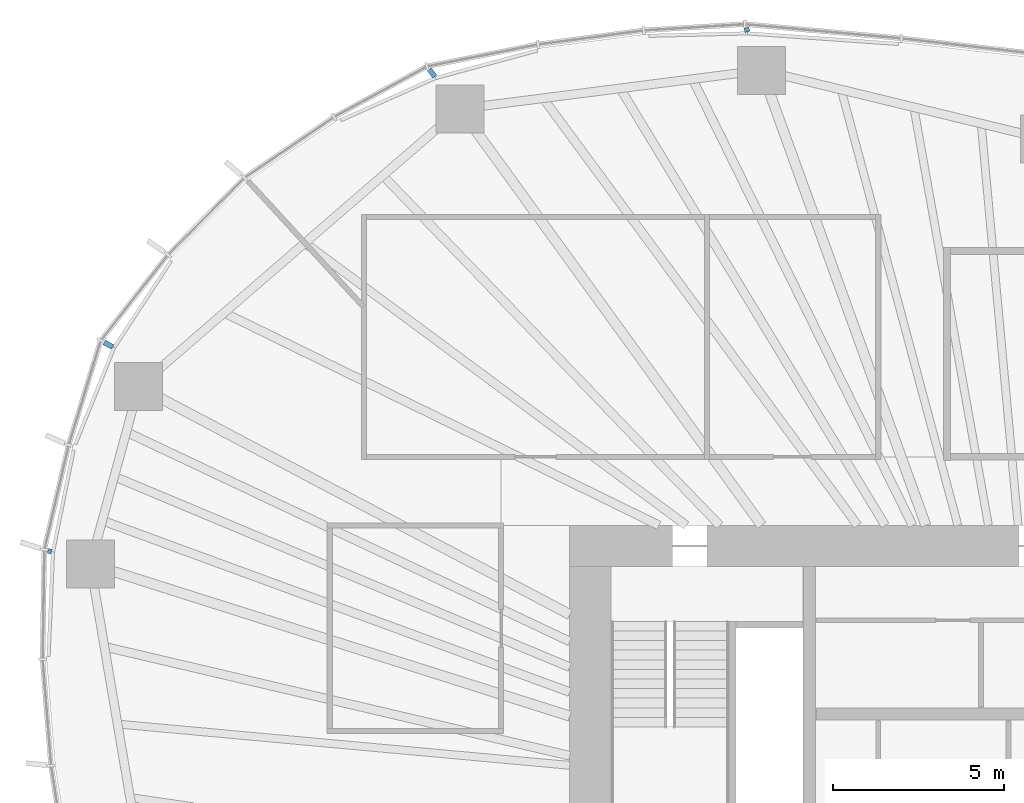
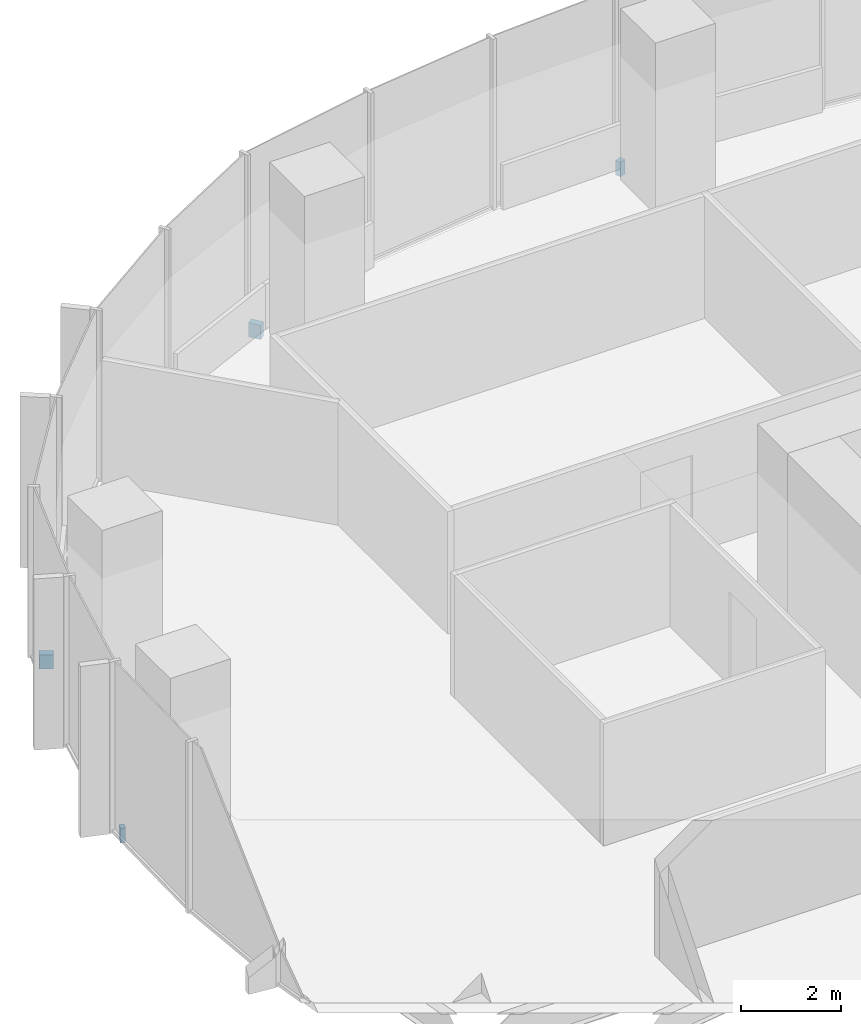
# One storey, part 15 of 18: 4 discrete accessories.
"""IFC4 building model written with IfcOpenShell, lengths in metres."""

from ifc_helpers import new_model, si_unit, direction, frame, origin, origin_2d, place, context, subcontext, project, spatial, rectangle, extrude, material, type_object, element, save


model = new_model("IFC4")

# Units and contexts
model_context = context("Model", 3, precision=1e-05, world=origin(), true_north=direction((0.0, 1.0)))
body_context = subcontext(model_context, "Body", "Model", "MODEL_VIEW")
ifc_project = project(units=[si_unit("LENGTHUNIT", "METRE"), si_unit("AREAUNIT", "SQUARE_METRE"), si_unit("VOLUMEUNIT", "CUBIC_METRE"), si_unit("PLANEANGLEUNIT", "RADIAN"), si_unit("MASSUNIT", "GRAM", prefix="KILO")], contexts=[model_context])

# Site, building, storey
site_placement = place(None, origin())
site = spatial("IfcSite", under=ifc_project, at=site_placement, CompositionType="ELEMENT")
building_placement = place(site_placement, origin())
building = spatial("IfcBuilding", under=site, at=building_placement, Name="Ghaith Harvest Tower", CompositionType="ELEMENT")
storey_placement = place(building_placement, frame((0.0, 0.0, 159.60009765625)))
storey = spatial("IfcBuildingStorey", under=building, at=storey_placement, Name="L34", CompositionType="ELEMENT", Elevation=159.60009765625)

# Discrete accessories
ifc_material_1 = material(Name="Stainless steel grade 1.4401", Category="steel")
discrete_accessory_type_1 = type_object("IfcDiscreteAccessoryType", Name="CURTAIN WALL BRACKET 105", PredefinedType="BRACKET", material=ifc_material_1)
discrete_accessory_1_placement = place(storey_placement, frame((-29.171875, 9.2451171875, -0.250244140625), z_axis=(0.0, 0.0, 1.0), x_axis=(-0.953273219358, 0.302109531884, 0.0)))
element("IfcDiscreteAccessory", 1, at=discrete_accessory_1_placement, inside=storey, type_object=discrete_accessory_type_1, Name="CW-L bracket 1 bay 10 L34", PredefinedType="BRACKET", context=body_context, shape_type="SweptSolid", body=[
    extrude(rectangle(XDim=0.10498046875, YDim=0.14990234375, at=origin_2d()), origin(), (0.0, 0.0, 1.0), 0.35009765625),
])
ifc_material_2 = material(Name="Stainless steel grade 1.4401", Category="steel")
discrete_accessory_type_2 = type_object("IfcDiscreteAccessoryType", Name="CURTAIN WALL BRACKET 125", PredefinedType="BRACKET", material=ifc_material_2)
discrete_accessory_2_placement = place(storey_placement, frame((-8.833984375, 24.45849609375, -0.250244140625), z_axis=(0.0, 0.0, 1.0), x_axis=(-0.339699453402, 0.94053404051, 0.0)))
element("IfcDiscreteAccessory", 2, at=discrete_accessory_2_placement, inside=storey, type_object=discrete_accessory_type_2, Name="CW-L bracket 1 bay 07 L34", PredefinedType="BRACKET", context=body_context, shape_type="SweptSolid", body=[
    extrude(rectangle(XDim=0.125, YDim=0.14990234375, at=origin_2d()), origin(), (0.0, 0.0, 1.0), 0.35009765625),
])
ifc_material_3 = material(Name="Stainless steel grade 1.4401", Category="steel")
discrete_accessory_type_3 = type_object("IfcDiscreteAccessoryType", Name="CURTAIN WALL BRACKET 265", PredefinedType="BRACKET", material=ifc_material_3)
discrete_accessory_3_placement = place(storey_placement, frame((-18.0166015625, 23.197998046875, -0.250244140625), z_axis=(0.0, 0.0, 1.0), x_axis=(-0.613377714422, 0.78978970584, 0.0)))
element("IfcDiscreteAccessory", 3, at=discrete_accessory_3_placement, inside=storey, type_object=discrete_accessory_type_3, Name="CW-L bracket 1 bay 08 L34", PredefinedType="BRACKET", context=body_context, shape_type="SweptSolid", body=[
    extrude(rectangle(XDim=0.264892578125, YDim=0.14990234375, at=origin_2d()), origin(), (0.0, 0.0, 1.0), 0.35009765625),
])
ifc_material_4 = material(Name="Stainless steel grade 1.4401", Category="steel")
discrete_accessory_type_4 = type_object("IfcDiscreteAccessoryType", Name="CURTAIN WALL BRACKET 285", PredefinedType="BRACKET", material=ifc_material_4)
discrete_accessory_4_placement = place(storey_placement, frame((-27.45849609375, 15.271728515625, -0.250244140625), z_axis=(0.0, 0.0, 1.0), x_axis=(-0.873926916005, 0.486057347935, 0.0)))
element("IfcDiscreteAccessory", 4, at=discrete_accessory_4_placement, inside=storey, type_object=discrete_accessory_type_4, Name="CW-L bracket 2 bay 09 L34", PredefinedType="BRACKET", context=body_context, shape_type="SweptSolid", body=[
    extrude(rectangle(XDim=0.284912109375, YDim=0.14990234375, at=origin_2d()), origin(), (0.0, 0.0, 1.0), 0.35009765625),
])

save(model, "model.ifc")
